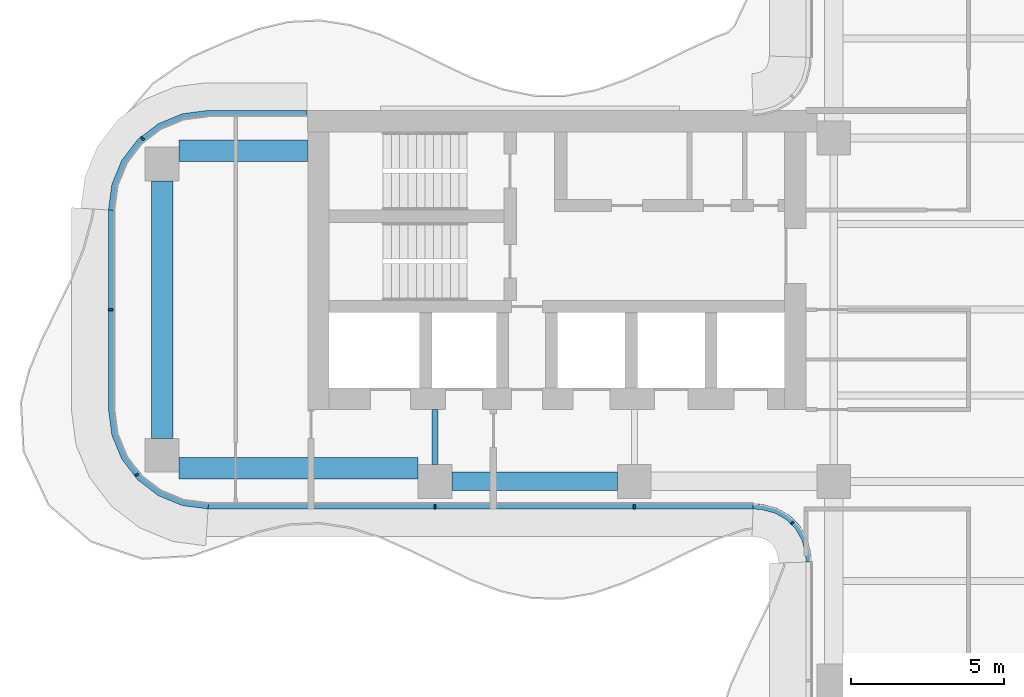
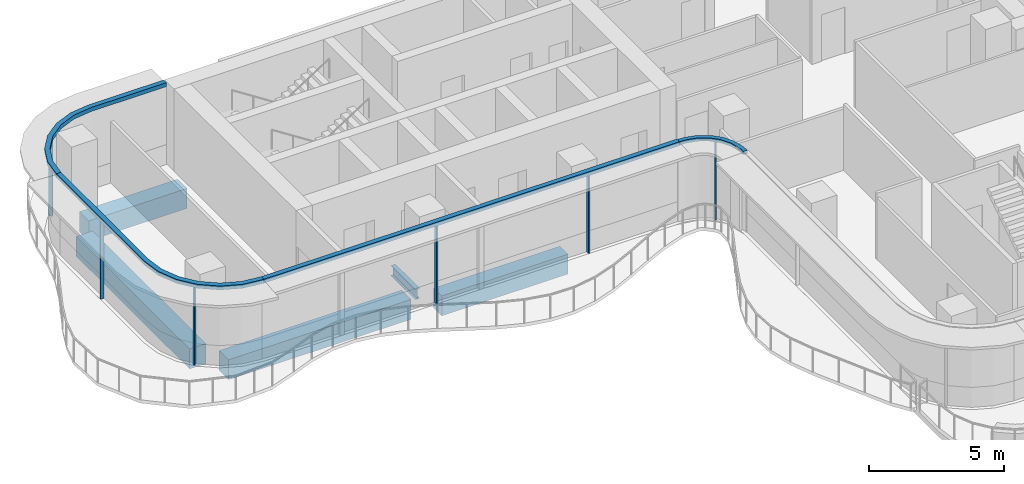
# One storey, part 3 of 17: 10 members, 5 beams, 4 elements without a shape of their own.
"""IFC4 building model written with IfcOpenShell, lengths in metres."""

from ifc_helpers import new_model, si_unit, direction, frame, origin, origin_2d, place, context, subcontext, project, spatial, polyline, rectangle, i_section, outline, extrude, source, transform, mapped, material, layer, layer_set, material_profile, profile_set, type_object, element, aggregate, save


model = new_model("IFC4")

# Units and contexts
model_context = context("Model", 3, precision=1e-05, world=origin(), true_north=direction((0.0, 1.0)))
body_context = subcontext(model_context, "Body", "Model", "MODEL_VIEW")
ifc_project = project(units=[si_unit("LENGTHUNIT", "METRE"), si_unit("AREAUNIT", "SQUARE_METRE"), si_unit("VOLUMEUNIT", "CUBIC_METRE"), si_unit("PLANEANGLEUNIT", "RADIAN"), si_unit("MASSUNIT", "GRAM", prefix="KILO")], contexts=[model_context])

# Site, building, storey
site_placement = place(None, origin())
site = spatial("IfcSite", under=ifc_project, at=site_placement, CompositionType="ELEMENT")
building_placement = place(site_placement, origin())
building = spatial("IfcBuilding", under=site, at=building_placement, Name="Trellis Farm Tower", CompositionType="ELEMENT")
storey_placement = place(building_placement, frame((0.0, 0.0, 244.10009765625)))
storey = spatial("IfcBuildingStorey", under=building, at=storey_placement, Name="L54", CompositionType="ELEMENT", Elevation=244.10009765625)

# Beams
ifc_material_1 = material(Name="Steel S355", Category="steel")
ifc_material_profile_1 = material_profile(ifc_material_1, i_section(OverallWidth=0.1904296875, OverallDepth=0.45703125, WebThickness=0.009033203125, FlangeThickness=0.014404296875, FilletRadius=0.01025390625, at=origin_2d()), Name="UB 457x191x74")
ifc_profile_set_1 = profile_set([ifc_material_profile_1], Name="Steel S355")
beam_type_1 = type_object("IfcBeamType", Name="UB 457x191x74", PredefinedType="BEAM", material=ifc_profile_set_1)
shared_shape_1 = source(origin(), body_context, "Body", "SweptSolid", [
    extrude(i_section(OverallWidth=0.1904296875, OverallDepth=0.45703125, WebThickness=0.009033203125, FlangeThickness=0.014404296875, FilletRadius=0.01025390625, at=origin_2d()), origin(), (0.0, 0.0, 1.0), 1.800048828125),
])
beam_1_placement = place(storey_placement, frame((-18.60009765625, -5.050048828125, -0.4287109375), z_axis=(0.0, 1.0, 0.0), x_axis=(-1.0, 0.0, 0.0)))
element("IfcBeam", 1, at=beam_1_placement, inside=storey, type_object=beam_type_1, Name="Girder", PredefinedType="BEAM", context=body_context, shape_type="MappedRepresentation", body=[
    mapped(shared_shape_1, transform((0.0, 0.0, 0.0))),
])
ifc_material_2 = material(Name="Concrete C60/75", Category="concrete")
ifc_material_profile_2 = material_profile(ifc_material_2, rectangle(XDim=0.60009765625, YDim=0.89990234375, at=origin_2d()), Name="RC spandrel beam 600x900 C60/75")
ifc_profile_set_2 = profile_set([ifc_material_profile_2], Name="Concrete C60/75")
beam_type_2 = type_object("IfcBeamType", Name="RC spandrel beam 600x900 C60/75", PredefinedType="SPANDREL", material=ifc_profile_set_2)
shared_shape_2 = source(origin(), body_context, "Body", "SweptSolid", [
    extrude(rectangle(XDim=0.60009765625, YDim=0.89990234375, at=origin_2d()), origin(), (0.0, 0.0, 1.0), 5.400146484375),
])
beam_2_placement = place(storey_placement, frame((-18.050048828125, -5.60009765625, -0.650146484375), z_axis=(1.0, 0.0, 0.0), x_axis=(0.0, 1.0, 0.0)))
element("IfcBeam", 2, at=beam_2_placement, inside=storey, type_object=beam_type_2, Name="Girder", PredefinedType="SPANDREL", context=body_context, shape_type="MappedRepresentation", body=[
    mapped(shared_shape_2, transform((0.0, 0.0, 0.0))),
])
ifc_material_profile_3 = material_profile(ifc_material_2, rectangle(XDim=0.699951171875, YDim=0.89990234375, at=origin_2d()), Name="RC spandrel beam 700x900 C60/75")
ifc_profile_set_3 = profile_set([ifc_material_profile_3], Name="Concrete C60/75")
beam_type_3 = type_object("IfcBeamType", Name="RC spandrel beam 700x900 C60/75", PredefinedType="SPANDREL", material=ifc_profile_set_3)
shared_shape_3 = source(origin(), body_context, "Body", "SweptSolid", [
    extrude(rectangle(XDim=0.699951171875, YDim=0.89990234375, at=origin_2d()), origin(), (0.0, 0.0, 1.0), 8.39990234375),
])
beam_3_placement = place(storey_placement, frame((-27.5, -4.199951171875, -0.650146484375), z_axis=(0.0, 1.0, 0.0), x_axis=(-1.0, 0.0, 0.0)))
element("IfcBeam", 3, at=beam_3_placement, inside=storey, type_object=beam_type_3, Name="Girder", PredefinedType="SPANDREL", context=body_context, shape_type="MappedRepresentation", body=[
    mapped(shared_shape_3, transform((0.0, 0.0, 0.0))),
])
shared_shape_4 = source(origin(), body_context, "Body", "SweptSolid", [
    extrude(rectangle(XDim=0.699951171875, YDim=0.89990234375, at=origin_2d()), origin(), (0.0, 0.0, 1.0), 7.800048828125),
])
beam_4_placement = place(storey_placement, frame((-26.949951171875, -5.175048828125, -0.650146484375), z_axis=(1.0, 0.0, 0.0), x_axis=(0.0, 1.0, 0.0)))
element("IfcBeam", 4, at=beam_4_placement, inside=storey, type_object=beam_type_3, Name="Girder", PredefinedType="SPANDREL", context=body_context, shape_type="MappedRepresentation", body=[
    mapped(shared_shape_4, transform((0.0, 0.0, 0.0))),
])
shared_shape_5 = source(origin(), body_context, "Body", "SweptSolid", [
    extrude(rectangle(XDim=0.699951171875, YDim=0.89990234375, at=origin_2d()), origin(), (0.0, 0.0, 1.0), 4.199951171875),
])
beam_5_placement = place(storey_placement, frame((-26.949951171875, 5.175048828125, -0.650146484375), z_axis=(1.0, 0.0, 0.0), x_axis=(0.0, 1.0, 0.0)))
element("IfcBeam", 5, at=beam_5_placement, inside=storey, type_object=beam_type_3, Name="Girder", PredefinedType="SPANDREL", context=body_context, shape_type="MappedRepresentation", body=[
    mapped(shared_shape_5, transform((0.0, 0.0, 0.0))),
])

# Curtain wall, members
ifc_material_3 = material(Name="Aluminium and glass curtain wall", Category="aluminium")
ifc_layer_1 = layer(ifc_material_3, 0.18994140625)
ifc_layer_set_1 = layer_set([ifc_layer_1], Name="RIBBON CURTAIN WALL CW1")
curtain_wall_type_1 = type_object("IfcCurtainWallType", Name="RIBBON CURTAIN WALL CW1", PredefinedType="NOTDEFINED", material=ifc_layer_set_1)
placement_1 = place(storey_placement, origin())
curtain_wall_1 = element("IfcCurtainWall", 6, at=placement_1, inside=storey, type_object=curtain_wall_type_1, Name="CW1 001", PredefinedType="NOTDEFINED")
ifc_material_4 = material(Name="Aluminium extrusion 6063-T6", Category="aluminium")
ifc_material_profile_4 = material_profile(ifc_material_4, rectangle(XDim=0.06005859375, YDim=0.14990234375, at=origin_2d()), Name="MULLION 60x150")
ifc_profile_set_4 = profile_set([ifc_material_profile_4], Name="Aluminium extrusion 6063-T6")
member_type_1 = type_object("IfcMemberType", Name="CW1 MULLION 60x150", PredefinedType="MULLION", material=ifc_profile_set_4)
shared_shape_6 = source(origin(), body_context, "Body", "SweptSolid", [
    extrude(rectangle(XDim=0.06005859375, YDim=0.14990234375, at=origin_2d()), origin(), (0.0, 0.0, 1.0), 3.52001953125),
])
member_1_placement = place(storey_placement, frame((-18.60009765625, -6.425048828125, 0.0), z_axis=(0.0, 0.0, 1.0), x_axis=(1.0, 0.0, 0.0)))
member_1 = element("IfcMember", 7, at=member_1_placement, type_object=member_type_1, Name="MU1 001-01", PredefinedType="MULLION", context=body_context, shape_type="MappedRepresentation", body=[
    mapped(shared_shape_6, transform((0.0, 0.0, 0.0))),
])
member_2_placement = place(storey_placement, frame((-12.10009765625, -6.425048828125, 0.0), z_axis=(0.0, 0.0, 1.0), x_axis=(1.0, 0.0, 0.0)))
member_2 = element("IfcMember", 8, at=member_2_placement, type_object=member_type_1, Name="MU1 001-02", PredefinedType="MULLION", context=body_context, shape_type="MappedRepresentation", body=[
    mapped(shared_shape_6, transform((0.0, 0.0, 0.0))),
])

# Curtain wall, member
curtain_wall_2 = element("IfcCurtainWall", 9, at=placement_1, inside=storey, type_object=curtain_wall_type_1, Name="CW1 013", PredefinedType="NOTDEFINED")
member_3_placement = place(storey_placement, frame((-28.135498046875, 5.578369140625, 0.0), z_axis=(0.0, 0.0, 1.0), x_axis=(-0.793353340291, -0.608761429009, 0.0)))
member_3 = element("IfcMember", 10, at=member_3_placement, type_object=member_type_1, Name="MU1 013-01", PredefinedType="MULLION", context=body_context, shape_type="MappedRepresentation", body=[
    mapped(shared_shape_6, transform((0.0, 0.0, 0.0))),
])

# Curtain wall, members
curtain_wall_3 = element("IfcCurtainWall", 11, at=placement_1, inside=storey, type_object=curtain_wall_type_1, Name="CW1 014", PredefinedType="NOTDEFINED")
member_4_placement = place(storey_placement, frame((-29.175048828125, 0.0, 0.0), z_axis=(0.0, 0.0, 1.0), x_axis=(0.0, -1.0, 0.0)))
member_4 = element("IfcMember", 12, at=member_4_placement, type_object=member_type_1, Name="MU1 014-01", PredefinedType="MULLION", context=body_context, shape_type="MappedRepresentation", body=[
    mapped(shared_shape_6, transform((0.0, 0.0, 0.0))),
])
member_5_placement = place(storey_placement, frame((-28.328369140625, -5.385498046875, 0.0), z_axis=(0.0, 0.0, 1.0), x_axis=(0.608761429009, -0.793353340291, 0.0)))
member_5 = element("IfcMember", 13, at=member_5_placement, type_object=member_type_1, Name="MU1 014-02", PredefinedType="MULLION", context=body_context, shape_type="MappedRepresentation", body=[
    mapped(shared_shape_6, transform((0.0, 0.0, 0.0))),
])

# Member
ifc_layer_2 = layer(ifc_material_4, 0.199951171875)
ifc_layer_set_2 = layer_set([ifc_layer_2], Name="Aluminium extrusion 6063-T6")
member_type_2 = type_object("IfcMemberType", Name="CW1 TRANSOM 200x180", PredefinedType="USERDEFINED", material=ifc_layer_set_2)
shared_shape_7 = source(origin(), body_context, "Body", "SweptSolid", [
    extrude(outline(polyline([(-26.0, -6.5), (-8.2314453125, -6.5), (-8.224853515625, -6.300048828125), (-25.98681640625, -6.300048828125), (-26.0, -6.5)])), origin(), (0.0, 0.0, 1.0), 0.179931640625),
])
placement_2 = place(storey_placement, frame((0.0, 0.0, 3.52001953125)))
member_6 = element("IfcMember", 14, at=placement_2, type_object=member_type_2, Name="TR1 001", ObjectType="TRANSOM", PredefinedType="USERDEFINED", context=body_context, shape_type="MappedRepresentation", body=[
    mapped(shared_shape_7, transform((0.0, 0.0, 0.0))),
])

aggregate(curtain_wall_1, [member_1, member_2, member_6])

shared_shape_8 = source(origin(), body_context, "Body", "SweptSolid", [
    extrude(outline(polyline([(-22.780029296875, 6.5), (-26.0, 6.5), (-26.841064453125, 6.38916015625), (-27.625, 6.064697265625), (-28.298095703125, 5.548095703125), (-28.814697265625, 4.875), (-29.13916015625, 4.091064453125), (-29.25, 3.25), (-29.050048828125, 3.23681640625), (-28.9443359375, 4.0390625), (-28.639892578125, 4.774169921875), (-28.155517578125, 5.405517578125), (-27.524169921875, 5.889892578125), (-26.7890625, 6.1943359375), (-25.98681640625, 6.300048828125), (-22.780029296875, 6.300048828125), (-22.780029296875, 6.5)])), origin(), (0.0, 0.0, 1.0), 0.179931640625),
])
member_7 = element("IfcMember", 15, at=placement_2, type_object=member_type_2, Name="TR1 013", ObjectType="TRANSOM", PredefinedType="USERDEFINED", context=body_context, shape_type="MappedRepresentation", body=[
    mapped(shared_shape_8, transform((0.0, 0.0, 0.0))),
])

aggregate(curtain_wall_2, [member_3, member_7])

shared_shape_9 = source(origin(), body_context, "Body", "SweptSolid", [
    extrude(outline(polyline([(-29.25, 3.25), (-29.25, -3.25), (-29.13916015625, -4.091064453125), (-28.814697265625, -4.875), (-28.298095703125, -5.548095703125), (-27.625, -6.064697265625), (-26.841064453125, -6.38916015625), (-26.0, -6.5), (-25.98681640625, -6.300048828125), (-26.7890625, -6.1943359375), (-27.524169921875, -5.889892578125), (-28.155517578125, -5.405517578125), (-28.639892578125, -4.774169921875), (-28.9443359375, -4.0390625), (-29.050048828125, -3.23681640625), (-29.050048828125, 3.23681640625), (-29.25, 3.25)])), origin(), (0.0, 0.0, 1.0), 0.179931640625),
])
member_8 = element("IfcMember", 16, at=placement_2, type_object=member_type_2, Name="TR1 014", ObjectType="TRANSOM", PredefinedType="USERDEFINED", context=body_context, shape_type="MappedRepresentation", body=[
    mapped(shared_shape_9, transform((0.0, 0.0, 0.0))),
])

aggregate(curtain_wall_3, [member_4, member_5, member_8])

# Curtain wall, members
ifc_layer_3 = layer(ifc_material_3, 0.166015625)
ifc_layer_set_3 = layer_set([ifc_layer_3], Name="WINTER GARDEN CURTAIN WALL CW3")
curtain_wall_type_2 = type_object("IfcCurtainWallType", Name="WINTER GARDEN CURTAIN WALL CW3", PredefinedType="NOTDEFINED", material=ifc_layer_set_3)
curtain_wall_4 = element("IfcCurtainWall", 17, at=placement_1, inside=storey, type_object=curtain_wall_type_2, Name="CW3 001", PredefinedType="NOTDEFINED")
ifc_layer_4 = layer(ifc_material_4, 0.169921875)
ifc_layer_set_4 = layer_set([ifc_layer_4], Name="Aluminium extrusion 6063-T6")
member_type_3 = type_object("IfcMemberType", Name="CW3 TRANSOM 170x150", PredefinedType="USERDEFINED", material=ifc_layer_set_4)
shared_shape_10 = source(origin(), body_context, "Body", "SweptSolid", [
    extrude(outline(polyline([(-8.2314453125, -6.5), (-8.01953125, -6.513916015625), (-7.91552734375, -6.527587890625), (-7.508544921875, -6.63671875), (-7.144287109375, -6.846923828125), (-6.846923828125, -7.144287109375), (-6.63671875, -7.508544921875), (-6.527587890625, -7.91552734375), (-6.513916015625, -8.01953125), (-6.5, -8.2314453125), (-6.330078125, -8.225830078125), (-6.3447265625, -8.0029296875), (-6.360595703125, -7.88232421875), (-6.478271484375, -7.44287109375), (-6.7109375, -7.0400390625), (-7.0400390625, -6.7109375), (-7.44287109375, -6.478271484375), (-7.88232421875, -6.360595703125), (-8.0029296875, -6.3447265625), (-8.225830078125, -6.330078125), (-8.2314453125, -6.5)])), origin(), (0.0, 0.0, 1.0), 0.150146484375),
])
member_9_placement = place(storey_placement, frame((0.0, 0.0, 3.5498046875)))
member_9 = element("IfcMember", 18, at=member_9_placement, type_object=member_type_3, Name="TR3 001", ObjectType="TRANSOM", PredefinedType="USERDEFINED", context=body_context, shape_type="MappedRepresentation", body=[
    mapped(shared_shape_10, transform((0.0, 0.0, 0.0))),
])
ifc_material_profile_5 = material_profile(ifc_material_4, rectangle(XDim=0.050048828125, YDim=0.1201171875, at=origin_2d()), Name="MULLION 50x120")
ifc_profile_set_5 = profile_set([ifc_material_profile_5], Name="Aluminium extrusion 6063-T6")
member_type_4 = type_object("IfcMemberType", Name="CW3 MULLION 50x120", PredefinedType="MULLION", material=ifc_profile_set_5)
shared_shape_11 = source(origin(), body_context, "Body", "SweptSolid", [
    extrude(rectangle(XDim=0.050048828125, YDim=0.1201171875, at=origin_2d()), origin(), (0.0, 0.0, 1.0), 3.5498046875),
])
member_10_placement = place(storey_placement, frame((-6.953125, -6.953125, 0.0), z_axis=(0.0, 0.0, 1.0), x_axis=(0.707106781187, -0.707106781187, 0.0)))
member_10 = element("IfcMember", 19, at=member_10_placement, type_object=member_type_4, Name="MU3 001-01", PredefinedType="MULLION", context=body_context, shape_type="MappedRepresentation", body=[
    mapped(shared_shape_11, transform((0.0, 0.0, 0.0))),
])
aggregate(curtain_wall_4, [member_10, member_9])

save(model, "model.ifc")
